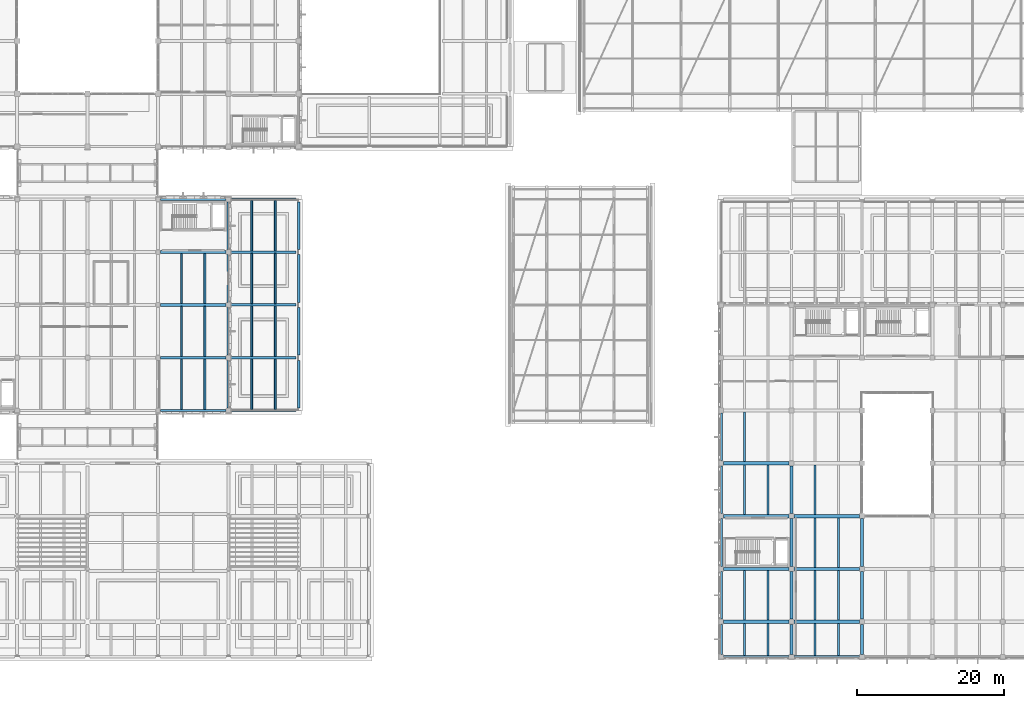
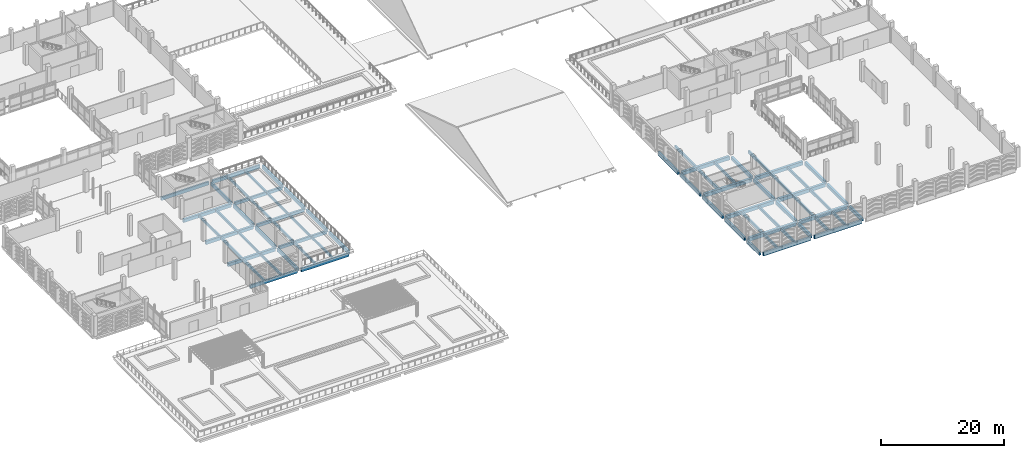
# One storey, part 17 of 134: 67 beams.
"""IFC4 building model written with IfcOpenShell, lengths in metres."""

from ifc_helpers import new_model, si_unit, direction, frame, origin, origin_2d, place, context, subcontext, project, spatial, rectangle, extrude, material, material_profile, profile_set, type_object, element, save


model = new_model("IFC4")

# Units and contexts
model_context = context("Model", 3, precision=1e-05, world=origin(), true_north=direction((0.0, 1.0)))
body_context = subcontext(model_context, "Body", "Model", "MODEL_VIEW")
ifc_project = project(units=[si_unit("LENGTHUNIT", "METRE"), si_unit("AREAUNIT", "SQUARE_METRE"), si_unit("VOLUMEUNIT", "CUBIC_METRE"), si_unit("PLANEANGLEUNIT", "RADIAN"), si_unit("MASSUNIT", "GRAM", prefix="KILO")], contexts=[model_context])

# Site, building, storey
site_placement = place(None, origin())
site = spatial("IfcSite", under=ifc_project, at=site_placement, CompositionType="ELEMENT")
building_placement = place(site_placement, origin())
building = spatial("IfcBuilding", under=site, at=building_placement, Name="Asteropetra Specialist Clinic", CompositionType="ELEMENT")
storey_placement = place(building_placement, frame((0.0, 0.0, 8.5)))
storey = spatial("IfcBuildingStorey", under=building, at=storey_placement, Name="L02", CompositionType="ELEMENT", Elevation=8.5)

# Beams
ifc_material_1 = material(Name="Concrete C35/45", Category="concrete")
ifc_material_profile_1 = material_profile(ifc_material_1, rectangle(XDim=0.35009765625, YDim=0.60009765625, at=origin_2d()), Name="RCB 350x600")
ifc_profile_set_1 = profile_set([ifc_material_profile_1], Name="Concrete C35/45")
beam_type_1 = type_object("IfcBeamType", Name="BM-RC350x600", PredefinedType="BEAM", material=ifc_profile_set_1)
for number, where, z_axis, x_axis, name in (
    (1, (38.75, 40.800048828125, -0.610107421875), (1.0, 0.0, 0.0), (0.0, 1.0, 0.0), "Beam BBM09-0986"),
    (2, (38.75, 48.0, -0.610107421875), (1.0, 0.0, 0.0), (0.0, 1.0, 0.0), "Beam BBM09-0987"),
    (3, (38.75, 55.199951171875, -0.610107421875), (1.0, 0.0, 0.0), (0.0, 1.0, 0.0), "Beam BBM09-0988"),
):
    element("IfcBeam", number, at=place(storey_placement, frame(where, z_axis=z_axis, x_axis=x_axis)), inside=storey, type_object=beam_type_1, Name=name, PredefinedType="BEAM", context=body_context, shape_type="SweptSolid", body=[
        extrude(rectangle(XDim=0.35009765625, YDim=0.60009765625, at=origin_2d()), origin(), (0.0, 0.0, 1.0), 8.89990234375),
    ])
ifc_material_2 = material(Name="Concrete C35/45", Category="concrete")
ifc_material_profile_2 = material_profile(ifc_material_2, rectangle(XDim=0.39990234375, YDim=0.64990234375, at=origin_2d()), Name="RCB 400x650")
ifc_profile_set_2 = profile_set([ifc_material_profile_2], Name="Concrete C35/45")
beam_type_2 = type_object("IfcBeamType", Name="BM-RC400x650", PredefinedType="BEAM", material=ifc_profile_set_2)
for number, where, z_axis, x_axis, name in (
    (4, (29.14990234375, 40.800048828125, -0.625), (1.0, 0.0, 0.0), (0.0, 1.0, 0.0), "Beam BBM07-1060"),
    (5, (29.14990234375, 48.0, -0.625), (1.0, 0.0, 0.0), (0.0, 1.0, 0.0), "Beam BBM07-1064"),
    (6, (29.14990234375, 55.199951171875, -0.625), (1.0, 0.0, 0.0), (0.0, 1.0, 0.0), "Beam BBM07-1068"),
):
    element("IfcBeam", number, at=place(storey_placement, frame(where, z_axis=z_axis, x_axis=x_axis)), inside=storey, type_object=beam_type_2, Name=name, PredefinedType="BEAM", context=body_context, shape_type="SweptSolid", body=[
        extrude(rectangle(XDim=0.39990234375, YDim=0.64990234375, at=origin_2d()), origin(), (0.0, 0.0, 1.0), 8.900146484375),
    ])
for number, where, z_axis, x_axis, name in (
    (7, (115.199951171875, 0.35009765625, -0.625), (0.0, 1.0, 0.0), (-1.0, 0.0, 0.0), "Beam BBM07-1150"),
    (8, (124.800048828125, 0.35009765625, -0.625), (0.0, 1.0, 0.0), (-1.0, 0.0, 0.0), "Beam BBM07-1151"),
):
    element("IfcBeam", number, at=place(storey_placement, frame(where, z_axis=z_axis, x_axis=x_axis)), inside=storey, type_object=beam_type_2, Name=name, PredefinedType="BEAM", context=body_context, shape_type="SweptSolid", body=[
        extrude(rectangle(XDim=0.39990234375, YDim=0.64990234375, at=origin_2d()), origin(), (0.0, 0.0, 1.0), 4.099853515625),
    ])
for number, where, z_axis, x_axis, name in (
    (9, (115.199951171875, 5.14990234375, -0.625), (0.0, 1.0, 0.0), (-1.0, 0.0, 0.0), "Beam BBM07-1166"),
    (10, (124.800048828125, 5.14990234375, -0.625), (0.0, 1.0, 0.0), (-1.0, 0.0, 0.0), "Beam BBM07-1167"),
    (11, (115.199951171875, 12.35009765625, -0.625), (0.0, 1.0, 0.0), (-1.0, 0.0, 0.0), "Beam BBM07-1182"),
    (12, (124.800048828125, 12.35009765625, -0.625), (0.0, 1.0, 0.0), (-1.0, 0.0, 0.0), "Beam BBM07-1183"),
    (13, (115.199951171875, 19.550048828125, -0.625), (0.0, 1.0, 0.0), (-1.0, 0.0, 0.0), "Beam BBM07-1194"),
):
    element("IfcBeam", number, at=place(storey_placement, frame(where, z_axis=z_axis, x_axis=x_axis)), inside=storey, type_object=beam_type_2, Name=name, PredefinedType="BEAM", context=body_context, shape_type="SweptSolid", body=[
        extrude(rectangle(XDim=0.39990234375, YDim=0.64990234375, at=origin_2d()), origin(), (0.0, 0.0, 1.0), 6.5),
    ])
ifc_material_3 = material(Name="Concrete C35/45", Category="concrete")
ifc_material_profile_3 = material_profile(ifc_material_3, rectangle(XDim=0.449951171875, YDim=0.699951171875, at=origin_2d()), Name="RCB 450x700")
ifc_profile_set_3 = profile_set([ifc_material_profile_3], Name="Concrete C35/45")
beam_type_3 = type_object("IfcBeamType", Name="BM-RC450x700", PredefinedType="BEAM", material=ifc_profile_set_3)
beam_1_placement = place(storey_placement, frame((105.949951171875, 4.800048828125, -0.64990234375), z_axis=(1.0, 0.0, 0.0), x_axis=(0.0, 1.0, 0.0)))
element("IfcBeam", 14, at=beam_1_placement, inside=storey, type_object=beam_type_3, Name="Beam BBM05-1122", PredefinedType="BEAM", context=body_context, shape_type="SweptSolid", body=[
    extrude(rectangle(XDim=0.449951171875, YDim=0.699951171875, at=origin_2d()), origin(), (0.0, 0.0, 1.0), 8.900146484375),
])
beam_2_placement = place(storey_placement, frame((115.550048828125, 4.800048828125, -0.64990234375), z_axis=(1.0, 0.0, 0.0), x_axis=(0.0, 1.0, 0.0)))
element("IfcBeam", 15, at=beam_2_placement, inside=storey, type_object=beam_type_3, Name="Beam BBM05-1123", PredefinedType="BEAM", context=body_context, shape_type="SweptSolid", body=[
    extrude(rectangle(XDim=0.449951171875, YDim=0.699951171875, at=origin_2d()), origin(), (0.0, 0.0, 1.0), 8.89990234375),
])
beam_3_placement = place(storey_placement, frame((105.949951171875, 12.0, -0.64990234375), z_axis=(1.0, 0.0, 0.0), x_axis=(0.0, 1.0, 0.0)))
element("IfcBeam", 16, at=beam_3_placement, inside=storey, type_object=beam_type_3, Name="Beam BBM05-1127", PredefinedType="BEAM", context=body_context, shape_type="SweptSolid", body=[
    extrude(rectangle(XDim=0.449951171875, YDim=0.699951171875, at=origin_2d()), origin(), (0.0, 0.0, 1.0), 8.900146484375),
])
beam_4_placement = place(storey_placement, frame((115.550048828125, 12.0, -0.64990234375), z_axis=(1.0, 0.0, 0.0), x_axis=(0.0, 1.0, 0.0)))
element("IfcBeam", 17, at=beam_4_placement, inside=storey, type_object=beam_type_3, Name="Beam BBM05-1128", PredefinedType="BEAM", context=body_context, shape_type="SweptSolid", body=[
    extrude(rectangle(XDim=0.449951171875, YDim=0.699951171875, at=origin_2d()), origin(), (0.0, 0.0, 1.0), 8.89990234375),
])
beam_5_placement = place(storey_placement, frame((105.949951171875, 19.199951171875, -0.64990234375), z_axis=(1.0, 0.0, 0.0), x_axis=(0.0, 1.0, 0.0)))
element("IfcBeam", 18, at=beam_5_placement, inside=storey, type_object=beam_type_3, Name="Beam BBM05-1132", PredefinedType="BEAM", context=body_context, shape_type="SweptSolid", body=[
    extrude(rectangle(XDim=0.449951171875, YDim=0.699951171875, at=origin_2d()), origin(), (0.0, 0.0, 1.0), 8.900146484375),
])
beam_6_placement = place(storey_placement, frame((115.550048828125, 19.199951171875, -0.64990234375), z_axis=(1.0, 0.0, 0.0), x_axis=(0.0, 1.0, 0.0)))
element("IfcBeam", 19, at=beam_6_placement, inside=storey, type_object=beam_type_3, Name="Beam BBM05-1133", PredefinedType="BEAM", context=body_context, shape_type="SweptSolid", body=[
    extrude(rectangle(XDim=0.449951171875, YDim=0.699951171875, at=origin_2d()), origin(), (0.0, 0.0, 1.0), 8.89990234375),
])
beam_7_placement = place(storey_placement, frame((105.949951171875, 26.39990234375, -0.64990234375), z_axis=(1.0, 0.0, 0.0), x_axis=(0.0, 1.0, 0.0)))
element("IfcBeam", 20, at=beam_7_placement, inside=storey, type_object=beam_type_3, Name="Beam BBM05-1136", PredefinedType="BEAM", context=body_context, shape_type="SweptSolid", body=[
    extrude(rectangle(XDim=0.449951171875, YDim=0.699951171875, at=origin_2d()), origin(), (0.0, 0.0, 1.0), 8.900146484375),
])
ifc_material_4 = material(Name="Concrete C35/45", Category="concrete")
ifc_material_profile_4 = material_profile(ifc_material_4, rectangle(XDim=0.239990234375, YDim=0.449951171875, at=origin_2d()), Name="RCJ 240x450")
ifc_profile_set_4 = profile_set([ifc_material_profile_4], Name="Concrete C35/45")
beam_type_4 = type_object("IfcBeamType", Name="JST-RC240x450", PredefinedType="JOIST", material=ifc_profile_set_4)
for number, where, z_axis, x_axis, name in (
    (21, (41.60009765625, 33.760009765625, -0.534912109375), (0.0, 1.0, 0.0), (-1.0, 0.0, 0.0), "Joist JJST03-0992"),
    (22, (44.800048828125, 33.760009765625, -0.534912109375), (0.0, 1.0, 0.0), (-1.0, 0.0, 0.0), "Joist JJST03-0993"),
):
    element("IfcBeam", number, at=place(storey_placement, frame(where, z_axis=z_axis, x_axis=x_axis)), inside=storey, type_object=beam_type_4, Name=name, PredefinedType="JOIST", context=body_context, shape_type="SweptSolid", body=[
        extrude(rectangle(XDim=0.239990234375, YDim=0.449951171875, at=origin_2d()), origin(), (0.0, 0.0, 1.0), 6.864990234375),
    ])
for number, where, z_axis, x_axis, name in (
    (23, (41.60009765625, 40.97509765625, -0.534912109375), (0.0, 1.0, 0.0), (-1.0, 0.0, 0.0), "Joist JJST03-0996"),
    (24, (44.800048828125, 40.97509765625, -0.534912109375), (0.0, 1.0, 0.0), (-1.0, 0.0, 0.0), "Joist JJST03-0997"),
    (25, (41.60009765625, 48.175048828125, -0.534912109375), (0.0, 1.0, 0.0), (-1.0, 0.0, 0.0), "Joist JJST03-1000"),
    (26, (44.800048828125, 48.175048828125, -0.534912109375), (0.0, 1.0, 0.0), (-1.0, 0.0, 0.0), "Joist JJST03-1001"),
):
    element("IfcBeam", number, at=place(storey_placement, frame(where, z_axis=z_axis, x_axis=x_axis)), inside=storey, type_object=beam_type_4, Name=name, PredefinedType="JOIST", context=body_context, shape_type="SweptSolid", body=[
        extrude(rectangle(XDim=0.239990234375, YDim=0.449951171875, at=origin_2d()), origin(), (0.0, 0.0, 1.0), 6.849853515625),
    ])
for number, where, z_axis, x_axis, name in (
    (27, (41.60009765625, 55.375, -0.534912109375), (0.0, 1.0, 0.0), (-1.0, 0.0, 0.0), "Joist JJST03-1004"),
    (28, (44.800048828125, 55.375, -0.534912109375), (0.0, 1.0, 0.0), (-1.0, 0.0, 0.0), "Joist JJST03-1005"),
):
    element("IfcBeam", number, at=place(storey_placement, frame(where, z_axis=z_axis, x_axis=x_axis)), inside=storey, type_object=beam_type_4, Name=name, PredefinedType="JOIST", context=body_context, shape_type="SweptSolid", body=[
        extrude(rectangle(XDim=0.239990234375, YDim=0.449951171875, at=origin_2d()), origin(), (0.0, 0.0, 1.0), 6.864990234375),
    ])
ifc_material_5 = material(Name="Concrete C35/45", Category="concrete")
ifc_material_profile_5 = material_profile(ifc_material_5, rectangle(XDim=0.260009765625, YDim=0.47998046875, at=origin_2d()), Name="RCJ 260x480")
ifc_profile_set_5 = profile_set([ifc_material_profile_5], Name="Concrete C35/45")
beam_type_5 = type_object("IfcBeamType", Name="JST-RC260x480", PredefinedType="JOIST", material=ifc_profile_set_5)
for number, where, z_axis, x_axis, name in (
    (29, (32.0, 33.75, -0.5400390625), (0.0, 1.0, 0.0), (-1.0, 0.0, 0.0), "Joist JJST02-1081"),
    (30, (35.199951171875, 33.75, -0.5400390625), (0.0, 1.0, 0.0), (-1.0, 0.0, 0.0), "Joist JJST02-1082"),
):
    element("IfcBeam", number, at=place(storey_placement, frame(where, z_axis=z_axis, x_axis=x_axis)), inside=storey, type_object=beam_type_5, Name=name, PredefinedType="JOIST", context=body_context, shape_type="SweptSolid", body=[
        extrude(rectangle(XDim=0.260009765625, YDim=0.47998046875, at=origin_2d()), origin(), (0.0, 0.0, 1.0), 6.85009765625),
    ])
for number, where, z_axis, x_axis, name in (
    (31, (32.0, 41.0, -0.5400390625), (0.0, 1.0, 0.0), (-1.0, 0.0, 0.0), "Joist JJST02-1093"),
    (32, (35.199951171875, 41.0, -0.5400390625), (0.0, 1.0, 0.0), (-1.0, 0.0, 0.0), "Joist JJST02-1094"),
    (33, (32.0, 48.199951171875, -0.5400390625), (0.0, 1.0, 0.0), (-1.0, 0.0, 0.0), "Joist JJST02-1105"),
    (34, (35.199951171875, 48.199951171875, -0.5400390625), (0.0, 1.0, 0.0), (-1.0, 0.0, 0.0), "Joist JJST02-1106"),
):
    element("IfcBeam", number, at=place(storey_placement, frame(where, z_axis=z_axis, x_axis=x_axis)), inside=storey, type_object=beam_type_5, Name=name, PredefinedType="JOIST", context=body_context, shape_type="SweptSolid", body=[
        extrude(rectangle(XDim=0.260009765625, YDim=0.47998046875, at=origin_2d()), origin(), (0.0, 0.0, 1.0), 6.800048828125),
    ])
ifc_material_6 = material(Name="Concrete C35/45", Category="concrete")
ifc_material_profile_6 = material_profile(ifc_material_6, rectangle(XDim=0.280029296875, YDim=0.52001953125, at=origin_2d()), Name="RCJ 280x520")
ifc_profile_set_6 = profile_set([ifc_material_profile_6], Name="Concrete C35/45")
beam_type_6 = type_object("IfcBeamType", Name="JST-RC280x520", PredefinedType="JOIST", material=ifc_profile_set_6)
for number, where, z_axis, x_axis, name in (
    (35, (108.800048828125, 0.159912109375, -0.56005859375), (0.0, 1.0, 0.0), (-1.0, 0.0, 0.0), "Joist JJST01-1155"),
    (36, (112.0, 0.159912109375, -0.56005859375), (0.0, 1.0, 0.0), (-1.0, 0.0, 0.0), "Joist JJST01-1156"),
    (37, (118.39990234375, 0.159912109375, -0.56005859375), (0.0, 1.0, 0.0), (-1.0, 0.0, 0.0), "Joist JJST01-1157"),
    (38, (121.60009765625, 0.159912109375, -0.56005859375), (0.0, 1.0, 0.0), (-1.0, 0.0, 0.0), "Joist JJST01-1158"),
):
    element("IfcBeam", number, at=place(storey_placement, frame(where, z_axis=z_axis, x_axis=x_axis)), inside=storey, type_object=beam_type_6, Name=name, PredefinedType="JOIST", context=body_context, shape_type="SweptSolid", body=[
        extrude(rectangle(XDim=0.280029296875, YDim=0.52001953125, at=origin_2d()), origin(), (0.0, 0.0, 1.0), 4.4150390625),
    ])
for number, where, z_axis, x_axis, name in (
    (39, (108.800048828125, 5.02490234375, -0.56005859375), (0.0, 1.0, 0.0), (-1.0, 0.0, 0.0), "Joist JJST01-1171"),
    (40, (112.0, 5.02490234375, -0.56005859375), (0.0, 1.0, 0.0), (-1.0, 0.0, 0.0), "Joist JJST01-1172"),
    (41, (118.39990234375, 5.02490234375, -0.56005859375), (0.0, 1.0, 0.0), (-1.0, 0.0, 0.0), "Joist JJST01-1173"),
    (42, (121.60009765625, 5.02490234375, -0.56005859375), (0.0, 1.0, 0.0), (-1.0, 0.0, 0.0), "Joist JJST01-1174"),
    (43, (118.39990234375, 12.22509765625, -0.56005859375), (0.0, 1.0, 0.0), (-1.0, 0.0, 0.0), "Joist JJST01-1187"),
    (44, (121.60009765625, 12.22509765625, -0.56005859375), (0.0, 1.0, 0.0), (-1.0, 0.0, 0.0), "Joist JJST01-1188"),
    (45, (108.800048828125, 19.425048828125, -0.56005859375), (0.0, 1.0, 0.0), (-1.0, 0.0, 0.0), "Joist JJST01-1197"),
    (46, (112.0, 19.425048828125, -0.56005859375), (0.0, 1.0, 0.0), (-1.0, 0.0, 0.0), "Joist JJST01-1198"),
    (47, (118.39990234375, 19.425048828125, -0.56005859375), (0.0, 1.0, 0.0), (-1.0, 0.0, 0.0), "Joist JJST01-1199"),
    (48, (108.800048828125, 26.625, -0.56005859375), (0.0, 1.0, 0.0), (-1.0, 0.0, 0.0), "Joist JJST01-1209"),
):
    element("IfcBeam", number, at=place(storey_placement, frame(where, z_axis=z_axis, x_axis=x_axis)), inside=storey, type_object=beam_type_6, Name=name, PredefinedType="JOIST", context=body_context, shape_type="SweptSolid", body=[
        extrude(rectangle(XDim=0.280029296875, YDim=0.52001953125, at=origin_2d()), origin(), (0.0, 0.0, 1.0), 6.75),
    ])
ifc_material_7 = material(Name="Concrete C35/45", Category="concrete")
ifc_material_profile_7 = material_profile(ifc_material_7, rectangle(XDim=0.300048828125, YDim=0.64990234375, at=origin_2d()), Name="RCS 300x650")
ifc_profile_set_7 = profile_set([ifc_material_profile_7], Name="Concrete C35/45")
beam_type_7 = type_object("IfcBeamType", Name="SPN-RC300x650", PredefinedType="SPANDREL", material=ifc_profile_set_7)
for number, where, z_axis, x_axis, name in (
    (49, (29.14990234375, 33.60009765625, -0.625), (1.0, 0.0, 0.0), (0.0, 1.0, 0.0), "Beam BSPN03-1056"),
    (50, (29.14990234375, 62.39990234375, -0.625), (1.0, 0.0, 0.0), (0.0, 1.0, 0.0), "Beam BSPN03-1072"),
):
    element("IfcBeam", number, at=place(storey_placement, frame(where, z_axis=z_axis, x_axis=x_axis)), inside=storey, type_object=beam_type_7, Name=name, PredefinedType="SPANDREL", context=body_context, shape_type="SweptSolid", body=[
        extrude(rectangle(XDim=0.300048828125, YDim=0.64990234375, at=origin_2d()), origin(), (0.0, 0.0, 1.0), 8.900146484375),
    ])
ifc_material_8 = material(Name="Concrete C35/45", Category="concrete")
ifc_material_profile_8 = material_profile(ifc_material_8, rectangle(XDim=0.320068359375, YDim=0.699951171875, at=origin_2d()), Name="RCS 320x700")
ifc_profile_set_8 = profile_set([ifc_material_profile_8], Name="Concrete C35/45")
beam_type_8 = type_object("IfcBeamType", Name="SPN-RC320x700", PredefinedType="SPANDREL", material=ifc_profile_set_8)
for number, where, z_axis, x_axis, name in (
    (51, (38.75, 33.60009765625, -0.659912109375), (1.0, 0.0, 0.0), (0.0, 1.0, 0.0), "Beam BSPN02-0985"),
    (52, (38.75, 62.39990234375, -0.659912109375), (1.0, 0.0, 0.0), (0.0, 1.0, 0.0), "Beam BSPN02-0989"),
):
    element("IfcBeam", number, at=place(storey_placement, frame(where, z_axis=z_axis, x_axis=x_axis)), inside=storey, type_object=beam_type_8, Name=name, PredefinedType="SPANDREL", context=body_context, shape_type="SweptSolid", body=[
        extrude(rectangle(XDim=0.320068359375, YDim=0.699951171875, at=origin_2d()), origin(), (0.0, 0.0, 1.0), 8.89990234375),
    ])
for number, where, z_axis, x_axis, name in (
    (53, (38.39990234375, 33.949951171875, -0.659912109375), (0.0, 1.0, 0.0), (-1.0, 0.0, 0.0), "Beam BSPN02-0990"),
    (54, (48.0, 33.949951171875, -0.659912109375), (0.0, 1.0, 0.0), (-1.0, 0.0, 0.0), "Beam BSPN02-0991"),
    (55, (38.39990234375, 41.14990234375, -0.659912109375), (0.0, 1.0, 0.0), (-1.0, 0.0, 0.0), "Beam BSPN02-0994"),
    (56, (48.0, 41.14990234375, -0.659912109375), (0.0, 1.0, 0.0), (-1.0, 0.0, 0.0), "Beam BSPN02-0995"),
    (57, (38.39990234375, 48.35009765625, -0.659912109375), (0.0, 1.0, 0.0), (-1.0, 0.0, 0.0), "Beam BSPN02-0998"),
    (58, (48.0, 48.35009765625, -0.659912109375), (0.0, 1.0, 0.0), (-1.0, 0.0, 0.0), "Beam BSPN02-0999"),
    (59, (38.39990234375, 55.550048828125, -0.659912109375), (0.0, 1.0, 0.0), (-1.0, 0.0, 0.0), "Beam BSPN02-1002"),
    (60, (48.0, 55.550048828125, -0.659912109375), (0.0, 1.0, 0.0), (-1.0, 0.0, 0.0), "Beam BSPN02-1003"),
):
    element("IfcBeam", number, at=place(storey_placement, frame(where, z_axis=z_axis, x_axis=x_axis)), inside=storey, type_object=beam_type_8, Name=name, PredefinedType="SPANDREL", context=body_context, shape_type="SweptSolid", body=[
        extrude(rectangle(XDim=0.320068359375, YDim=0.699951171875, at=origin_2d()), origin(), (0.0, 0.0, 1.0), 6.5),
    ])
beam_8_placement = place(storey_placement, frame((105.949951171875, 0.0, -0.64990234375), z_axis=(1.0, 0.0, 0.0), x_axis=(0.0, 1.0, 0.0)))
element("IfcBeam", 61, at=beam_8_placement, inside=storey, type_object=beam_type_8, Name="Beam BSPN02-1117", PredefinedType="SPANDREL", context=body_context, shape_type="SweptSolid", body=[
    extrude(rectangle(XDim=0.320068359375, YDim=0.699951171875, at=origin_2d()), origin(), (0.0, 0.0, 1.0), 8.900146484375),
])
beam_9_placement = place(storey_placement, frame((115.550048828125, 0.0, -0.64990234375), z_axis=(1.0, 0.0, 0.0), x_axis=(0.0, 1.0, 0.0)))
element("IfcBeam", 62, at=beam_9_placement, inside=storey, type_object=beam_type_8, Name="Beam BSPN02-1118", PredefinedType="SPANDREL", context=body_context, shape_type="SweptSolid", body=[
    extrude(rectangle(XDim=0.320068359375, YDim=0.699951171875, at=origin_2d()), origin(), (0.0, 0.0, 1.0), 8.89990234375),
])
beam_10_placement = place(storey_placement, frame((105.60009765625, 0.35009765625, -0.64990234375), z_axis=(0.0, 1.0, 0.0), x_axis=(-1.0, 0.0, 0.0)))
element("IfcBeam", 63, at=beam_10_placement, inside=storey, type_object=beam_type_8, Name="Beam BSPN02-1149", PredefinedType="SPANDREL", context=body_context, shape_type="SweptSolid", body=[
    extrude(rectangle(XDim=0.320068359375, YDim=0.699951171875, at=origin_2d()), origin(), (0.0, 0.0, 1.0), 4.099853515625),
])
for number, where, z_axis, x_axis, name in (
    (64, (105.60009765625, 5.14990234375, -0.64990234375), (0.0, 1.0, 0.0), (-1.0, 0.0, 0.0), "Beam BSPN02-1165"),
    (65, (105.60009765625, 12.35009765625, -0.64990234375), (0.0, 1.0, 0.0), (-1.0, 0.0, 0.0), "Beam BSPN02-1181"),
    (66, (105.60009765625, 19.550048828125, -0.64990234375), (0.0, 1.0, 0.0), (-1.0, 0.0, 0.0), "Beam BSPN02-1193"),
    (67, (105.60009765625, 26.75, -0.64990234375), (0.0, 1.0, 0.0), (-1.0, 0.0, 0.0), "Beam BSPN02-1205"),
):
    element("IfcBeam", number, at=place(storey_placement, frame(where, z_axis=z_axis, x_axis=x_axis)), inside=storey, type_object=beam_type_8, Name=name, PredefinedType="SPANDREL", context=body_context, shape_type="SweptSolid", body=[
        extrude(rectangle(XDim=0.320068359375, YDim=0.699951171875, at=origin_2d()), origin(), (0.0, 0.0, 1.0), 6.5),
    ])

save(model, "model.ifc")
